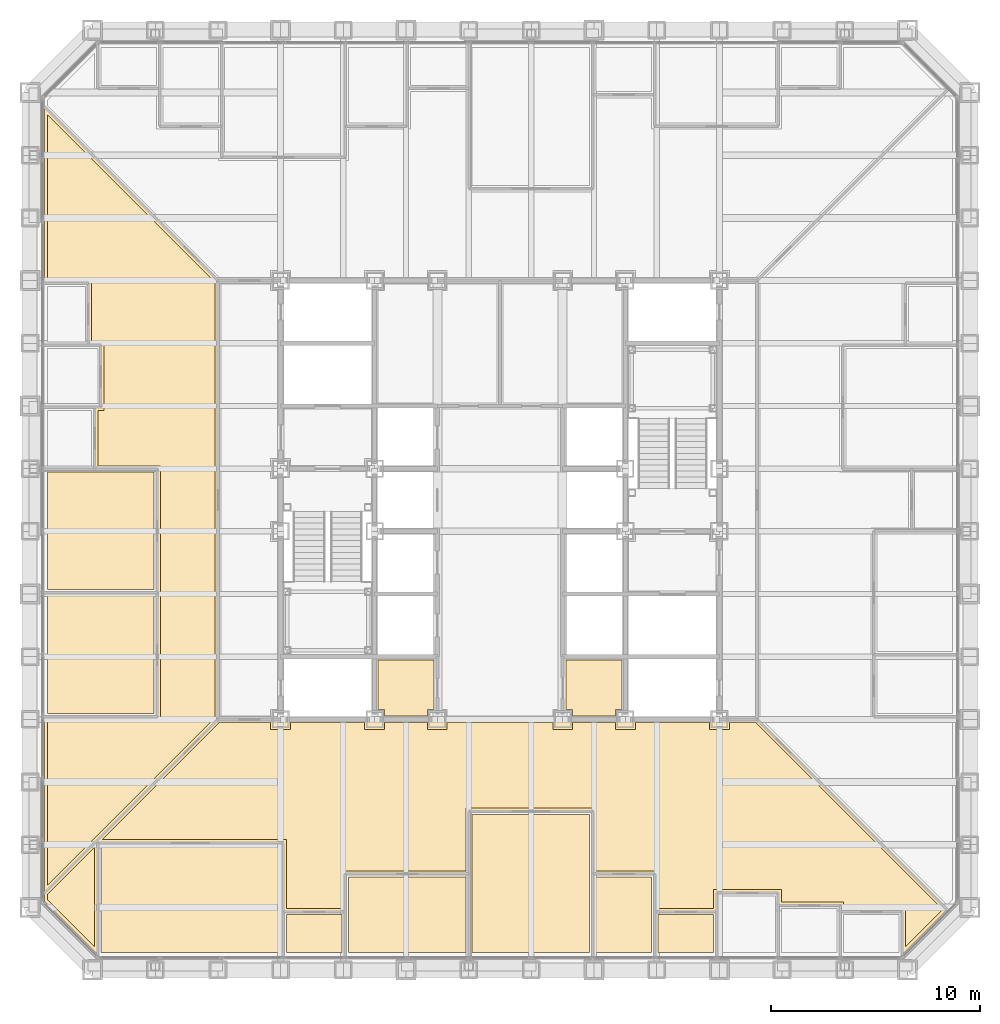
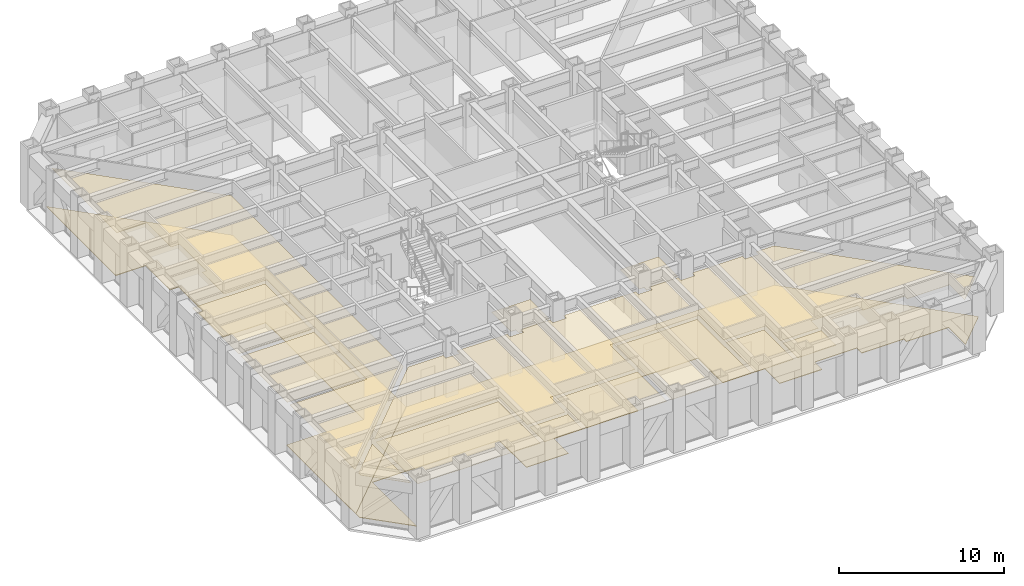
# One storey, part 14 of 17: 15 coverings.
"""IFC4 building model written with IfcOpenShell, lengths in metres."""

from ifc_helpers import new_model, si_unit, direction, frame, origin, place, context, subcontext, project, spatial, polyline, outline, extrude, material, layer, layer_set, type_object, element, save


model = new_model("IFC4")

# Units and contexts
model_context = context("Model", 3, precision=1e-05, world=origin(), true_north=direction((0.0, 1.0)))
body_context = subcontext(model_context, "Body", "Model", "MODEL_VIEW")
ifc_project = project(units=[si_unit("LENGTHUNIT", "METRE"), si_unit("AREAUNIT", "SQUARE_METRE"), si_unit("VOLUMEUNIT", "CUBIC_METRE"), si_unit("PLANEANGLEUNIT", "RADIAN"), si_unit("MASSUNIT", "GRAM", prefix="KILO")], contexts=[model_context])

# Site, building, storey
site_placement = place(None, origin())
site = spatial("IfcSite", under=ifc_project, at=site_placement, CompositionType="ELEMENT")
building_placement = place(site_placement, origin())
building = spatial("IfcBuilding", under=site, at=building_placement, Name="Chuquiago Exchange Tower", CompositionType="ELEMENT")
storey_placement = place(building_placement, frame((0.0, 0.0, 87.300048828125)))
storey = spatial("IfcBuildingStorey", under=building, at=storey_placement, Name="L18", CompositionType="ELEMENT", Elevation=87.300048828125)

# Coverings
ifc_material_1 = material(Name="Mineral fibre tile, 600 x 600, on pale metal grid", Category="mineral fibre")
ifc_layer_1 = layer(ifc_material_1, 0.02001953125)
ifc_layer_set_1 = layer_set([ifc_layer_1], Name="CL1 suspended tile ceiling 20")
covering_type_1 = type_object("IfcCoveringType", Name="CL1 suspended tile ceiling 20", PredefinedType="CEILING", material=ifc_layer_set_1)
covering_1_placement = place(storey_placement, frame((0.0, 0.0, 3.0)))
element("IfcCovering", 1, at=covering_1_placement, inside=storey, type_object=covering_type_1, Name="Ceiling Broker lounge", PredefinedType="CEILING", context=body_context, shape_type="SweptSolid", body=[
    extrude(outline(polyline([(3.3984375, 5.949951171875), (11.98388671875, 5.949951171875), (11.98388671875, 0.85009765625), (3.3984375, 0.85009765625), (3.3984375, 5.949951171875)])), origin(), (0.0, 0.0, 1.0), 0.02001953125),
])
covering_2_placement = place(storey_placement, frame((0.0, 0.0, 3.0)))
element("IfcCovering", 2, at=covering_2_placement, inside=storey, type_object=covering_type_1, Name="Ceiling Focus room", PredefinedType="CEILING", context=body_context, shape_type="SweptSolid", body=[
    extrude(outline(polyline([(12.28369140625, 2.64990234375), (14.945556640625, 2.64990234375), (14.945556640625, 0.85009765625), (12.28369140625, 0.85009765625), (12.28369140625, 2.64990234375)])), origin(), (0.0, 0.0, 1.0), 0.02001953125),
])
covering_3_placement = place(storey_placement, frame((0.0, 0.0, 3.0)))
element("IfcCovering", 3, at=covering_3_placement, inside=storey, type_object=covering_type_1, Name="Ceiling Office", PredefinedType="CEILING", context=body_context, shape_type="SweptSolid", body=[
    extrude(outline(polyline([(15.24560546875, 4.449951171875), (20.869140625, 4.449951171875), (20.869140625, 0.85009765625), (15.24560546875, 0.85009765625), (15.24560546875, 4.449951171875)])), origin(), (0.0, 0.0, 1.0), 0.02001953125),
])
covering_4_placement = place(storey_placement, frame((0.0, 0.0, 3.0)))
element("IfcCovering", 4, at=covering_4_placement, inside=storey, type_object=covering_type_1, Name="Ceiling Training room", PredefinedType="CEILING", context=body_context, shape_type="SweptSolid", body=[
    extrude(outline(polyline([(21.169189453125, 7.449951171875), (26.79248046875, 7.449951171875), (26.79248046875, 0.85009765625), (21.169189453125, 0.85009765625), (21.169189453125, 7.449951171875)])), origin(), (0.0, 0.0, 1.0), 0.02001953125),
])
covering_5_placement = place(storey_placement, frame((0.0, 0.0, 3.0)))
element("IfcCovering", 5, at=covering_5_placement, inside=storey, type_object=covering_type_1, Name="Ceiling Office", PredefinedType="CEILING", context=body_context, shape_type="SweptSolid", body=[
    extrude(outline(polyline([(27.092529296875, 4.449951171875), (29.75439453125, 4.449951171875), (29.75439453125, 0.85009765625), (27.092529296875, 0.85009765625), (27.092529296875, 4.449951171875)])), origin(), (0.0, 0.0, 1.0), 0.02001953125),
])
covering_6_placement = place(storey_placement, frame((0.0, 0.0, 3.0)))
element("IfcCovering", 6, at=covering_6_placement, inside=storey, type_object=covering_type_1, Name="Ceiling Focus room", PredefinedType="CEILING", context=body_context, shape_type="SweptSolid", body=[
    extrude(outline(polyline([(30.054443359375, 2.64990234375), (32.71630859375, 2.64990234375), (32.71630859375, 0.85009765625), (30.054443359375, 0.85009765625), (30.054443359375, 2.64990234375)])), origin(), (0.0, 0.0, 1.0), 0.02001953125),
])
covering_7_placement = place(storey_placement, frame((0.0, 0.0, 3.0)))
element("IfcCovering", 7, at=covering_7_placement, inside=storey, type_object=covering_type_1, Name="Ceiling Market data room", PredefinedType="CEILING", context=body_context, shape_type="SweptSolid", body=[
    extrude(outline(polyline([(5.949951171875, 17.907470703125), (5.949951171875, 12.28369140625), (0.85009765625, 12.28369140625), (0.85009765625, 17.907470703125), (5.949951171875, 17.907470703125)])), origin(), (0.0, 0.0, 1.0), 0.02001953125),
])
covering_8_placement = place(storey_placement, frame((0.0, 0.0, 3.0)))
element("IfcCovering", 8, at=covering_8_placement, inside=storey, type_object=covering_type_1, Name="Ceiling Conference room", PredefinedType="CEILING", context=body_context, shape_type="SweptSolid", body=[
    extrude(outline(polyline([(5.949951171875, 23.830810546875), (5.949951171875, 18.20751953125), (0.85009765625, 18.20751953125), (0.85009765625, 23.830810546875), (5.949951171875, 23.830810546875)])), origin(), (0.0, 0.0, 1.0), 0.02001953125),
])
covering_9_placement = place(storey_placement, frame((0.0, 0.0, 3.0)))
element("IfcCovering", 9, at=covering_9_placement, inside=storey, type_object=covering_type_1, Name="Ceiling Trading floor south", PredefinedType="CEILING", context=body_context, shape_type="SweptSolid", body=[
    extrude(outline(polyline([(9.0625, 11.85009765625), (11.52490234375, 11.85009765625), (11.52490234375, 11.52490234375), (12.47509765625, 11.52490234375), (12.47509765625, 11.85009765625), (16.02490234375, 11.85009765625), (16.02490234375, 11.52490234375), (16.97509765625, 11.52490234375), (16.97509765625, 11.85009765625), (19.02490234375, 11.85009765625), (19.02490234375, 11.52490234375), (19.97509765625, 11.52490234375), (19.97509765625, 11.85009765625), (25.02490234375, 11.85009765625), (25.02490234375, 11.52490234375), (25.97509765625, 11.52490234375), (25.97509765625, 11.85009765625), (28.02490234375, 11.85009765625), (28.02490234375, 11.52490234375), (28.97509765625, 11.52490234375), (28.97509765625, 11.85009765625), (32.52490234375, 11.85009765625), (32.52490234375, 11.52490234375), (33.47509765625, 11.52490234375), (33.47509765625, 11.85009765625), (34.7373046875, 11.85009765625), (43.692626953125, 2.89453125), (41.901611328125, 1.103515625), (41.901611328125, 2.949951171875), (38.939697265625, 2.949951171875), (38.939697265625, 3.25), (35.977783203125, 3.25), (35.977783203125, 3.85009765625), (32.71630859375, 3.85009765625), (32.71630859375, 2.949951171875), (30.054443359375, 2.949951171875), (30.054443359375, 4.75), (27.092529296875, 4.75), (27.092529296875, 7.75), (20.869140625, 7.75), (20.869140625, 4.75), (14.945556640625, 4.75), (14.945556640625, 2.949951171875), (12.28369140625, 2.949951171875), (12.28369140625, 6.25), (3.462890625, 6.25), (9.0625, 11.85009765625)])), origin(), (0.0, 0.0, 1.0), 0.02001953125),
])
covering_10_placement = place(storey_placement, frame((0.0, 0.0, 3.0)))
element("IfcCovering", 10, at=covering_10_placement, inside=storey, type_object=covering_type_1, Name="Ceiling Trading floor south", PredefinedType="CEILING", context=body_context, shape_type="SweptSolid", body=[
    extrude(outline(polyline([(3.098388671875, 1.103515625), (0.85009765625, 3.35205078125), (0.85009765625, 3.63720703125), (3.098388671875, 5.8857421875), (3.098388671875, 1.103515625)])), origin(), (0.0, 0.0, 1.0), 0.02001953125),
])
covering_11_placement = place(storey_placement, frame((0.0, 0.0, 3.0)))
element("IfcCovering", 11, at=covering_11_placement, inside=storey, type_object=covering_type_1, Name="Ceiling Trading floor west", PredefinedType="CEILING", context=body_context, shape_type="SweptSolid", body=[
    extrude(outline(polyline([(6.25, 24.130859375), (3.25, 24.130859375), (3.25, 26.79248046875), (3.550048828125, 26.79248046875), (3.550048828125, 30.054443359375), (2.949951171875, 30.054443359375), (2.949951171875, 33.01611328125), (0.85009765625, 33.01611328125), (0.85009765625, 40.937255859375), (8.85009765625, 32.9375), (8.85009765625, 12.0625), (0.85009765625, 4.062744140625), (0.85009765625, 11.98388671875), (6.25, 11.98388671875), (6.25, 24.130859375)])), origin(), (0.0, 0.0, 1.0), 0.02001953125),
])
ifc_material_2 = material(Name="Moisture resistant plasterboard on metal frame", Category="gypsum")
ifc_layer_2 = layer(ifc_material_2, 0.014892578125)
ifc_layer_set_2 = layer_set([ifc_layer_2], Name="CL2 moisture resistant ceiling 15")
covering_type_2 = type_object("IfcCoveringType", Name="CL2 moisture resistant ceiling 15", PredefinedType="CEILING", material=ifc_layer_set_2)
covering_12_placement = place(storey_placement, frame((0.0, 0.0, 2.599853515625)))
element("IfcCovering", 12, at=covering_12_placement, inside=storey, type_object=covering_type_2, Name="Ceiling Accessible WC", PredefinedType="CEILING", context=body_context, shape_type="SweptSolid", body=[
    extrude(outline(polyline([(25.97509765625, 12.14990234375), (25.97509765625, 12.47509765625), (25.64990234375, 12.47509765625), (25.64990234375, 14.85009765625), (28.35009765625, 14.85009765625), (28.35009765625, 12.47509765625), (28.02490234375, 12.47509765625), (28.02490234375, 12.14990234375), (25.97509765625, 12.14990234375)])), origin(), (0.0, 0.0, 1.0), 0.01513671875),
])
covering_13_placement = place(storey_placement, frame((0.0, 0.0, 2.599853515625)))
element("IfcCovering", 13, at=covering_13_placement, inside=storey, type_object=covering_type_2, Name="Ceiling Cleaner", PredefinedType="CEILING", context=body_context, shape_type="SweptSolid", body=[
    extrude(outline(polyline([(16.97509765625, 12.14990234375), (16.97509765625, 12.47509765625), (16.64990234375, 12.47509765625), (16.64990234375, 14.85009765625), (19.35009765625, 14.85009765625), (19.35009765625, 12.47509765625), (19.02490234375, 12.47509765625), (19.02490234375, 12.14990234375), (16.97509765625, 12.14990234375)])), origin(), (0.0, 0.0, 1.0), 0.01513671875),
])
ifc_material_3 = material(Name="Steel raised floor panel", Category="steel")
ifc_layer_3 = layer(ifc_material_3, 0.0400390625)
ifc_layer_set_3 = layer_set([ifc_layer_3], Name="RF1 raised access floor 40")
covering_type_3 = type_object("IfcCoveringType", Name="RF1 raised access floor 40", PredefinedType="FLOORING", material=ifc_layer_set_3)
covering_14_placement = place(storey_placement, frame((0.0, 0.0, -0.0400390625)))
element("IfcCovering", 14, at=covering_14_placement, inside=storey, type_object=covering_type_3, Name="Raised access floor Trading floor south", PredefinedType="FLOORING", context=body_context, shape_type="SweptSolid", body=[
    extrude(outline(polyline([(41.75146484375, 0.741455078125), (41.75146484375, 2.800048828125), (38.789794921875, 2.800048828125), (38.789794921875, 3.10009765625), (35.827880859375, 3.10009765625), (35.827880859375, 3.699951171875), (32.8662109375, 3.699951171875), (32.8662109375, 2.800048828125), (29.904296875, 2.800048828125), (29.904296875, 4.60009765625), (26.942626953125, 4.60009765625), (26.942626953125, 7.60009765625), (21.01904296875, 7.60009765625), (21.01904296875, 4.60009765625), (15.095703125, 4.60009765625), (15.095703125, 2.800048828125), (12.1337890625, 2.800048828125), (12.1337890625, 6.10009765625), (3.24853515625, 6.10009765625), (3.24853515625, 0.741455078125), (0.699951171875, 3.289794921875), (0.699951171875, 3.69921875), (9.00048828125, 12.0), (34.799560546875, 12.0), (43.90478515625, 2.89453125), (41.75146484375, 0.741455078125)])), origin(), (0.0, 0.0, 1.0), 0.0400390625),
])
covering_15_placement = place(storey_placement, frame((0.0, 0.0, -0.0400390625)))
element("IfcCovering", 15, at=covering_15_placement, inside=storey, type_object=covering_type_3, Name="Raised access floor Trading floor west", PredefinedType="FLOORING", context=body_context, shape_type="SweptSolid", body=[
    extrude(outline(polyline([(6.10009765625, 12.1337890625), (6.10009765625, 23.98095703125), (3.10009765625, 23.98095703125), (3.10009765625, 26.942626953125), (3.39990234375, 26.942626953125), (3.39990234375, 29.904296875), (2.800048828125, 29.904296875), (2.800048828125, 32.8662109375), (0.699951171875, 32.8662109375), (0.699951171875, 41.29931640625), (9.0, 32.99951171875), (9.0, 12.00048828125), (0.699951171875, 3.70068359375), (0.699951171875, 12.1337890625), (6.10009765625, 12.1337890625)])), origin(), (0.0, 0.0, 1.0), 0.0400390625),
])

save(model, "model.ifc")
